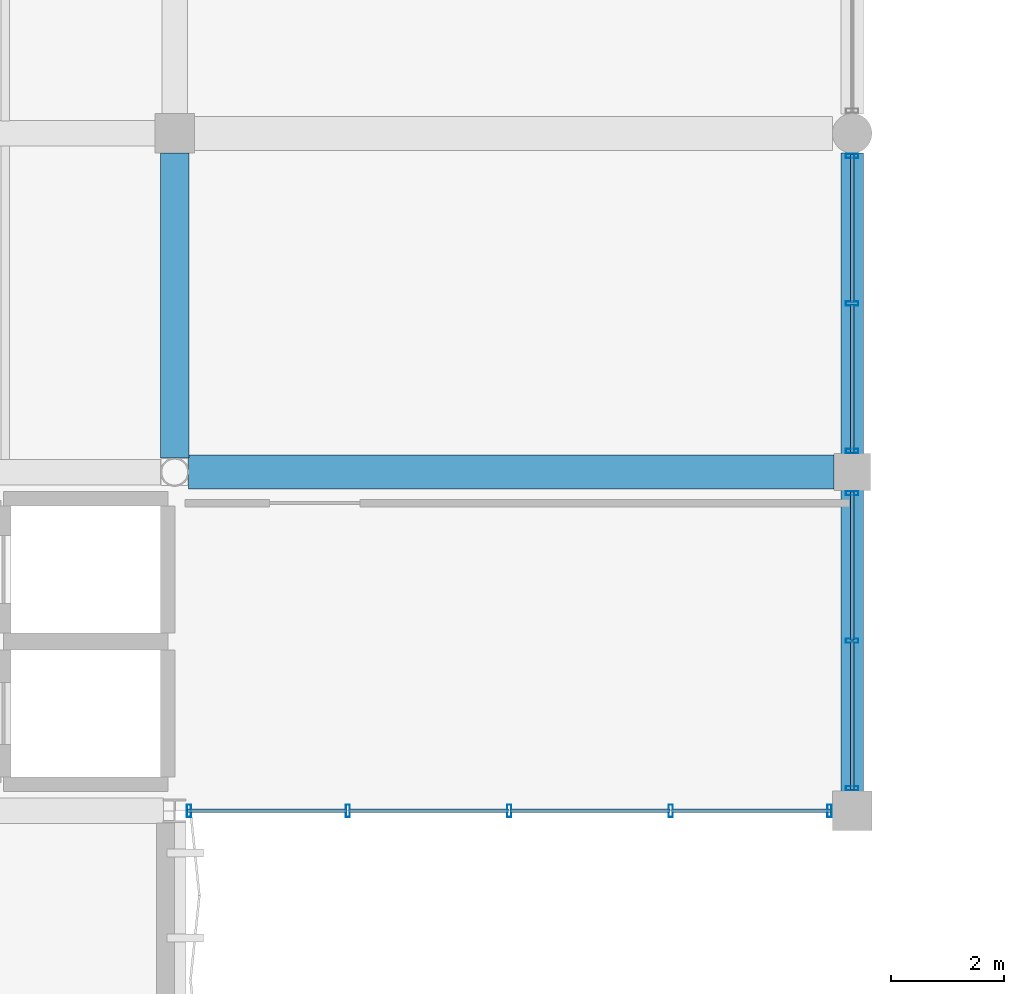
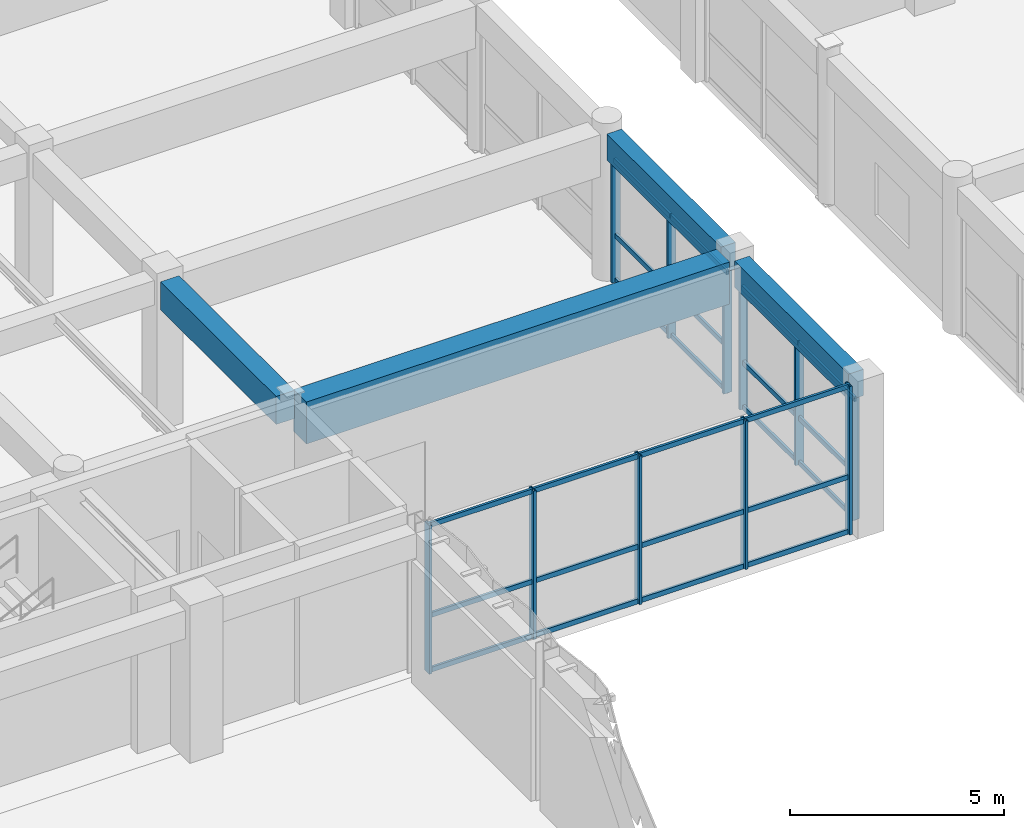
# One storey, part 50 of 116: 35 members, 4 beams, 3 elements without a shape of their own.
"""IFC4 building model written with IfcOpenShell, lengths in metres."""

from ifc_helpers import new_model, si_unit, direction, frame, origin, origin_2d, place, context, subcontext, project, spatial, rectangle, hollow_rectangle, extrude, material, material_profile, profile_set, type_object, element, aggregate, save


model = new_model("IFC4")

# Units and contexts
model_context = context("Model", 3, precision=1e-05, world=origin(), true_north=direction((0.0, 1.0)))
body_context = subcontext(model_context, "Body", "Model", "MODEL_VIEW")
ifc_project = project(units=[si_unit("LENGTHUNIT", "METRE"), si_unit("AREAUNIT", "SQUARE_METRE"), si_unit("VOLUMEUNIT", "CUBIC_METRE"), si_unit("PLANEANGLEUNIT", "RADIAN"), si_unit("MASSUNIT", "GRAM", prefix="KILO"), si_unit("THERMODYNAMICTEMPERATUREUNIT", "KELVIN"), si_unit("POWERUNIT", "WATT")], contexts=[model_context])

# Site, building, storey
site_placement = place(None, origin())
site = spatial("IfcSite", under=ifc_project, at=site_placement, CompositionType="ELEMENT")
building_placement = place(site_placement, origin())
building = spatial("IfcBuilding", under=site, at=building_placement, Name="Phaisarnlok Congress Hotel", CompositionType="ELEMENT")
storey_placement = place(building_placement, frame((0.0, 0.0, 10.5)))
storey = spatial("IfcBuildingStorey", under=building, at=storey_placement, Name="L02", CompositionType="ELEMENT", Elevation=10.5)

# Beams
ifc_material_1 = material(Name="Concrete C40/50", Category="concrete")
ifc_material_profile_1 = material_profile(ifc_material_1, rectangle(XDim=0.5, YDim=0.800048828125, at=origin_2d()), Name="RC 500x800")
ifc_profile_set_1 = profile_set([ifc_material_profile_1], Name="Concrete C40/50")
beam_type_1 = type_object("IfcBeamType", Name="BM-RC-500x800", PredefinedType="BEAM", material=ifc_profile_set_1)
beam_1_placement = place(storey_placement, frame((144.0, 42.2490234375, 3.840087890625), z_axis=(0.0, 1.0, 0.0), x_axis=(-1.0, 0.0, 0.0)))
element("IfcBeam", 1, at=beam_1_placement, inside=storey, type_object=beam_type_1, Name="Beam B-04", PredefinedType="BEAM", context=body_context, shape_type="SweptSolid", body=[
    extrude(rectangle(XDim=0.5, YDim=0.800048828125, at=origin_2d()), origin(), (0.0, 0.0, 1.0), 5.406005859375),
])
ifc_material_2 = material(Name="Concrete C50/60", Category="concrete")
ifc_material_profile_2 = material_profile(ifc_material_2, rectangle(XDim=0.60009765625, YDim=1.199951171875, at=origin_2d()), Name="RC 600x1200")
ifc_profile_set_2 = profile_set([ifc_material_profile_2], Name="Concrete C50/60")
beam_type_2 = type_object("IfcBeamType", Name="BM-RC-600x1200", PredefinedType="BEAM", material=ifc_profile_set_2)
beam_2_placement = place(storey_placement, frame((144.2490234375, 42.0, 3.639892578125), z_axis=(1.0, 0.0, 0.0), x_axis=(0.0, 1.0, 0.0)))
element("IfcBeam", 2, at=beam_2_placement, inside=storey, type_object=beam_type_2, Name="Ramp bay 12m girder B-06", PredefinedType="BEAM", context=body_context, shape_type="SweptSolid", body=[
    extrude(rectangle(XDim=0.60009765625, YDim=1.199951171875, at=origin_2d()), origin(), (0.0, 0.0, 1.0), 11.430908203125),
])

# Curtain wall, members
ifc_material_3 = material(Name="Thermally Broken Unitised Aluminium & Low-E Glazing", Category="aluminium")
curtain_wall_type_1 = type_object("IfcCurtainWallType", Name="CW-UNIT-24", PredefinedType="NOTDEFINED", material=ifc_material_3)
curtain_wall_1_placement = place(storey_placement, origin())
curtain_wall_1 = element("IfcCurtainWall", 3, at=curtain_wall_1_placement, inside=storey, type_object=curtain_wall_type_1, Name="Unitised curtain wall CW-24 (L02)", PredefinedType="NOTDEFINED")
ifc_material_4 = material(Name="Anodised Aluminium Alloy 6063-T6", Category="aluminium")
ifc_material_profile_3 = material_profile(ifc_material_4, hollow_rectangle(XDim=0.074951171875, YDim=0.219970703125, WallThickness=0.0048828125, at=origin_2d()), Name="ALU-M 75x220x5")
ifc_profile_set_3 = profile_set([ifc_material_profile_3], Name="Anodised Aluminium Alloy 6063-T6")
member_type_1 = type_object("IfcMemberType", Name="CWM-220", PredefinedType="MULLION", material=ifc_profile_set_3)
member_1_placement = place(storey_placement, frame((144.2529296875, 36.0, 0.0), z_axis=(0.0, 0.0, 1.0), x_axis=(1.0, 0.0, 0.0)))
member_1 = element("IfcMember", 4, at=member_1_placement, type_object=member_type_1, Name="Curtain wall mullion CWM-02", PredefinedType="MULLION", context=body_context, shape_type="SweptSolid", body=[
    extrude(hollow_rectangle(XDim=0.074951171875, YDim=0.219970703125, WallThickness=0.0048828125, at=origin_2d()), origin(), (0.0, 0.0, 1.0), 4.239990234375),
])
member_2_placement = place(storey_placement, frame((147.0673828125, 36.0, 0.0), z_axis=(0.0, 0.0, 1.0), x_axis=(1.0, 0.0, 0.0)))
member_2 = element("IfcMember", 5, at=member_2_placement, type_object=member_type_1, Name="Curtain wall mullion CWM-02", PredefinedType="MULLION", context=body_context, shape_type="SweptSolid", body=[
    extrude(hollow_rectangle(XDim=0.074951171875, YDim=0.219970703125, WallThickness=0.0048828125, at=origin_2d()), origin(), (0.0, 0.0, 1.0), 4.239990234375),
])
member_3_placement = place(storey_placement, frame((149.926513671875, 36.0, 0.0), z_axis=(0.0, 0.0, 1.0), x_axis=(1.0, 0.0, 0.0)))
member_3 = element("IfcMember", 6, at=member_3_placement, type_object=member_type_1, Name="Curtain wall mullion CWM-02", PredefinedType="MULLION", context=body_context, shape_type="SweptSolid", body=[
    extrude(hollow_rectangle(XDim=0.074951171875, YDim=0.219970703125, WallThickness=0.0048828125, at=origin_2d()), origin(), (0.0, 0.0, 1.0), 4.239990234375),
])
member_4_placement = place(storey_placement, frame((152.785888671875, 36.0, 0.0), z_axis=(0.0, 0.0, 1.0), x_axis=(1.0, 0.0, 0.0)))
member_4 = element("IfcMember", 7, at=member_4_placement, type_object=member_type_1, Name="Curtain wall mullion CWM-02", PredefinedType="MULLION", context=body_context, shape_type="SweptSolid", body=[
    extrude(hollow_rectangle(XDim=0.074951171875, YDim=0.219970703125, WallThickness=0.0048828125, at=origin_2d()), origin(), (0.0, 0.0, 1.0), 4.239990234375),
])
member_5_placement = place(storey_placement, frame((155.60009765625, 36.0, 0.0), z_axis=(0.0, 0.0, 1.0), x_axis=(1.0, 0.0, 0.0)))
member_5 = element("IfcMember", 8, at=member_5_placement, type_object=member_type_1, Name="Curtain wall mullion CWM-02", PredefinedType="MULLION", context=body_context, shape_type="SweptSolid", body=[
    extrude(hollow_rectangle(XDim=0.074951171875, YDim=0.219970703125, WallThickness=0.0048828125, at=origin_2d()), origin(), (0.0, 0.0, 1.0), 4.239990234375),
])

curtain_wall_type_2 = type_object("IfcCurtainWallType", Name="CW-UNIT-16", PredefinedType="NOTDEFINED", material=ifc_material_3)
curtain_wall_2_placement = place(storey_placement, origin())
curtain_wall_2 = element("IfcCurtainWall", 9, at=curtain_wall_2_placement, inside=storey, type_object=curtain_wall_type_2, Name="Unitised curtain wall CW-16 (L02)", PredefinedType="NOTDEFINED")
member_6_placement = place(storey_placement, frame((156.0, 36.39990234375, 0.0), z_axis=(0.0, 0.0, 1.0), x_axis=(0.0, 1.0, 0.0)))
member_6 = element("IfcMember", 10, at=member_6_placement, type_object=member_type_1, Name="Curtain wall mullion CWM-02", PredefinedType="MULLION", context=body_context, shape_type="SweptSolid", body=[
    extrude(hollow_rectangle(XDim=0.074951171875, YDim=0.219970703125, WallThickness=0.0048828125, at=origin_2d()), origin(), (0.0, 0.0, 1.0), 3.489990234375),
])
member_7_placement = place(storey_placement, frame((156.0, 39.012451171875, 0.0), z_axis=(0.0, 0.0, 1.0), x_axis=(0.0, 1.0, 0.0)))
member_7 = element("IfcMember", 11, at=member_7_placement, type_object=member_type_1, Name="Curtain wall mullion CWM-02", PredefinedType="MULLION", context=body_context, shape_type="SweptSolid", body=[
    extrude(hollow_rectangle(XDim=0.074951171875, YDim=0.219970703125, WallThickness=0.0048828125, at=origin_2d()), origin(), (0.0, 0.0, 1.0), 3.489990234375),
])
member_8_placement = place(storey_placement, frame((156.0, 41.625, 0.0), z_axis=(0.0, 0.0, 1.0), x_axis=(0.0, 1.0, 0.0)))
member_8 = element("IfcMember", 12, at=member_8_placement, type_object=member_type_1, Name="Curtain wall mullion CWM-02", PredefinedType="MULLION", context=body_context, shape_type="SweptSolid", body=[
    extrude(hollow_rectangle(XDim=0.074951171875, YDim=0.219970703125, WallThickness=0.0048828125, at=origin_2d()), origin(), (0.0, 0.0, 1.0), 3.489990234375),
])

curtain_wall_3_placement = place(storey_placement, origin())
curtain_wall_3 = element("IfcCurtainWall", 13, at=curtain_wall_3_placement, inside=storey, type_object=curtain_wall_type_2, Name="Unitised curtain wall CW-16 (L02)", PredefinedType="NOTDEFINED")
member_9_placement = place(storey_placement, frame((156.0, 42.375, 0.0), z_axis=(0.0, 0.0, 1.0), x_axis=(0.0, 1.0, 0.0)))
member_9 = element("IfcMember", 14, at=member_9_placement, type_object=member_type_1, Name="Curtain wall mullion CWM-02", PredefinedType="MULLION", context=body_context, shape_type="SweptSolid", body=[
    extrude(hollow_rectangle(XDim=0.074951171875, YDim=0.219970703125, WallThickness=0.0048828125, at=origin_2d()), origin(), (0.0, 0.0, 1.0), 3.489990234375),
])
member_10_placement = place(storey_placement, frame((156.0, 44.987548828125, 0.0), z_axis=(0.0, 0.0, 1.0), x_axis=(0.0, 1.0, 0.0)))
member_10 = element("IfcMember", 15, at=member_10_placement, type_object=member_type_1, Name="Curtain wall mullion CWM-02", PredefinedType="MULLION", context=body_context, shape_type="SweptSolid", body=[
    extrude(hollow_rectangle(XDim=0.074951171875, YDim=0.219970703125, WallThickness=0.0048828125, at=origin_2d()), origin(), (0.0, 0.0, 1.0), 3.489990234375),
])
member_11_placement = place(storey_placement, frame((156.0, 47.60009765625, 0.0), z_axis=(0.0, 0.0, 1.0), x_axis=(0.0, 1.0, 0.0)))
member_11 = element("IfcMember", 16, at=member_11_placement, type_object=member_type_1, Name="Curtain wall mullion CWM-02", PredefinedType="MULLION", context=body_context, shape_type="SweptSolid", body=[
    extrude(hollow_rectangle(XDim=0.074951171875, YDim=0.219970703125, WallThickness=0.0048828125, at=origin_2d()), origin(), (0.0, 0.0, 1.0), 3.489990234375),
])

# Member
ifc_material_profile_4 = material_profile(ifc_material_4, hollow_rectangle(XDim=0.06494140625, YDim=0.139892578125, WallThickness=0.00390625, at=origin_2d()), Name="ALU-T 65x140x4")
ifc_profile_set_4 = profile_set([ifc_material_profile_4], Name="Anodised Aluminium Alloy 6063-T6")
member_type_2 = type_object("IfcMemberType", Name="CWT-150", PredefinedType="USERDEFINED", material=ifc_profile_set_4)
member_12_placement = place(storey_placement, frame((144.22802734375, 36.0, 0.050048828125), z_axis=(1.0, 0.0, 0.0), x_axis=(0.0, 1.0, 0.0)))
member_12 = element("IfcMember", 17, at=member_12_placement, type_object=member_type_2, Name="Curtain wall transom CWT-01", ObjectType="TRANSOM", PredefinedType="USERDEFINED", context=body_context, shape_type="SweptSolid", body=[
    extrude(hollow_rectangle(XDim=0.06494140625, YDim=0.139892578125, WallThickness=0.00390625, at=origin_2d()), origin(), (0.0, 0.0, 1.0), 2.82421875),
])

member_13_placement = place(storey_placement, frame((144.22802734375, 36.0, 1.611083984375), z_axis=(1.0, 0.0, 0.0), x_axis=(0.0, 1.0, 0.0)))
member_13 = element("IfcMember", 18, at=member_13_placement, type_object=member_type_2, Name="Curtain wall transom CWT-01", ObjectType="TRANSOM", PredefinedType="USERDEFINED", context=body_context, shape_type="SweptSolid", body=[
    extrude(hollow_rectangle(XDim=0.06494140625, YDim=0.139892578125, WallThickness=0.00390625, at=origin_2d()), origin(), (0.0, 0.0, 1.0), 2.82421875),
])

member_14_placement = place(storey_placement, frame((144.22802734375, 36.0, 4.18994140625), z_axis=(1.0, 0.0, 0.0), x_axis=(0.0, 1.0, 0.0)))
member_14 = element("IfcMember", 19, at=member_14_placement, type_object=member_type_2, Name="Curtain wall transom CWT-01", ObjectType="TRANSOM", PredefinedType="USERDEFINED", context=body_context, shape_type="SweptSolid", body=[
    extrude(hollow_rectangle(XDim=0.06494140625, YDim=0.139892578125, WallThickness=0.00390625, at=origin_2d()), origin(), (0.0, 0.0, 1.0), 2.82421875),
])

member_15_placement = place(storey_placement, frame((147.082275390625, 36.0, 0.050048828125), z_axis=(1.0, 0.0, 0.0), x_axis=(0.0, 1.0, 0.0)))
member_15 = element("IfcMember", 20, at=member_15_placement, type_object=member_type_2, Name="Curtain wall transom CWT-01", ObjectType="TRANSOM", PredefinedType="USERDEFINED", context=body_context, shape_type="SweptSolid", body=[
    extrude(hollow_rectangle(XDim=0.06494140625, YDim=0.139892578125, WallThickness=0.00390625, at=origin_2d()), origin(), (0.0, 0.0, 1.0), 2.829345703125),
])

member_16_placement = place(storey_placement, frame((147.082275390625, 36.0, 1.611083984375), z_axis=(1.0, 0.0, 0.0), x_axis=(0.0, 1.0, 0.0)))
member_16 = element("IfcMember", 21, at=member_16_placement, type_object=member_type_2, Name="Curtain wall transom CWT-01", ObjectType="TRANSOM", PredefinedType="USERDEFINED", context=body_context, shape_type="SweptSolid", body=[
    extrude(hollow_rectangle(XDim=0.06494140625, YDim=0.139892578125, WallThickness=0.00390625, at=origin_2d()), origin(), (0.0, 0.0, 1.0), 2.829345703125),
])

member_17_placement = place(storey_placement, frame((147.082275390625, 36.0, 4.18994140625), z_axis=(1.0, 0.0, 0.0), x_axis=(0.0, 1.0, 0.0)))
member_17 = element("IfcMember", 22, at=member_17_placement, type_object=member_type_2, Name="Curtain wall transom CWT-01", ObjectType="TRANSOM", PredefinedType="USERDEFINED", context=body_context, shape_type="SweptSolid", body=[
    extrude(hollow_rectangle(XDim=0.06494140625, YDim=0.139892578125, WallThickness=0.00390625, at=origin_2d()), origin(), (0.0, 0.0, 1.0), 2.829345703125),
])

member_18_placement = place(storey_placement, frame((149.94140625, 36.0, 0.050048828125), z_axis=(1.0, 0.0, 0.0), x_axis=(0.0, 1.0, 0.0)))
member_18 = element("IfcMember", 23, at=member_18_placement, type_object=member_type_2, Name="Curtain wall transom CWT-01", ObjectType="TRANSOM", PredefinedType="USERDEFINED", context=body_context, shape_type="SweptSolid", body=[
    extrude(hollow_rectangle(XDim=0.06494140625, YDim=0.139892578125, WallThickness=0.00390625, at=origin_2d()), origin(), (0.0, 0.0, 1.0), 2.829345703125),
])

member_19_placement = place(storey_placement, frame((149.94140625, 36.0, 1.611083984375), z_axis=(1.0, 0.0, 0.0), x_axis=(0.0, 1.0, 0.0)))
member_19 = element("IfcMember", 24, at=member_19_placement, type_object=member_type_2, Name="Curtain wall transom CWT-01", ObjectType="TRANSOM", PredefinedType="USERDEFINED", context=body_context, shape_type="SweptSolid", body=[
    extrude(hollow_rectangle(XDim=0.06494140625, YDim=0.139892578125, WallThickness=0.00390625, at=origin_2d()), origin(), (0.0, 0.0, 1.0), 2.829345703125),
])

member_20_placement = place(storey_placement, frame((149.94140625, 36.0, 4.18994140625), z_axis=(1.0, 0.0, 0.0), x_axis=(0.0, 1.0, 0.0)))
member_20 = element("IfcMember", 25, at=member_20_placement, type_object=member_type_2, Name="Curtain wall transom CWT-01", ObjectType="TRANSOM", PredefinedType="USERDEFINED", context=body_context, shape_type="SweptSolid", body=[
    extrude(hollow_rectangle(XDim=0.06494140625, YDim=0.139892578125, WallThickness=0.00390625, at=origin_2d()), origin(), (0.0, 0.0, 1.0), 2.829345703125),
])

member_21_placement = place(storey_placement, frame((152.80078125, 36.0, 0.050048828125), z_axis=(1.0, 0.0, 0.0), x_axis=(0.0, 1.0, 0.0)))
member_21 = element("IfcMember", 26, at=member_21_placement, type_object=member_type_2, Name="Curtain wall transom CWT-01", ObjectType="TRANSOM", PredefinedType="USERDEFINED", context=body_context, shape_type="SweptSolid", body=[
    extrude(hollow_rectangle(XDim=0.06494140625, YDim=0.139892578125, WallThickness=0.00390625, at=origin_2d()), origin(), (0.0, 0.0, 1.0), 2.82421875),
])

member_22_placement = place(storey_placement, frame((152.80078125, 36.0, 1.611083984375), z_axis=(1.0, 0.0, 0.0), x_axis=(0.0, 1.0, 0.0)))
member_22 = element("IfcMember", 27, at=member_22_placement, type_object=member_type_2, Name="Curtain wall transom CWT-01", ObjectType="TRANSOM", PredefinedType="USERDEFINED", context=body_context, shape_type="SweptSolid", body=[
    extrude(hollow_rectangle(XDim=0.06494140625, YDim=0.139892578125, WallThickness=0.00390625, at=origin_2d()), origin(), (0.0, 0.0, 1.0), 2.82421875),
])

member_23_placement = place(storey_placement, frame((152.80078125, 36.0, 4.18994140625), z_axis=(1.0, 0.0, 0.0), x_axis=(0.0, 1.0, 0.0)))
member_23 = element("IfcMember", 28, at=member_23_placement, type_object=member_type_2, Name="Curtain wall transom CWT-01", ObjectType="TRANSOM", PredefinedType="USERDEFINED", context=body_context, shape_type="SweptSolid", body=[
    extrude(hollow_rectangle(XDim=0.06494140625, YDim=0.139892578125, WallThickness=0.00390625, at=origin_2d()), origin(), (0.0, 0.0, 1.0), 2.82421875),
])

aggregate(curtain_wall_1, [member_1, member_2, member_3, member_4, member_5, member_12, member_13, member_14, member_15, member_16, member_17, member_18, member_19, member_20, member_21, member_22, member_23])

member_24_placement = place(storey_placement, frame((156.0, 36.375, 0.050048828125), z_axis=(0.0, 1.0, 0.0), x_axis=(-1.0, 0.0, 0.0)))
member_24 = element("IfcMember", 29, at=member_24_placement, type_object=member_type_2, Name="Curtain wall transom CWT-01", ObjectType="TRANSOM", PredefinedType="USERDEFINED", context=body_context, shape_type="SweptSolid", body=[
    extrude(hollow_rectangle(XDim=0.06494140625, YDim=0.139892578125, WallThickness=0.00390625, at=origin_2d()), origin(), (0.0, 0.0, 1.0), 2.62255859375),
])

member_25_placement = place(storey_placement, frame((156.0, 36.375, 1.326171875), z_axis=(0.0, 1.0, 0.0), x_axis=(-1.0, 0.0, 0.0)))
member_25 = element("IfcMember", 30, at=member_25_placement, type_object=member_type_2, Name="Curtain wall transom CWT-01", ObjectType="TRANSOM", PredefinedType="USERDEFINED", context=body_context, shape_type="SweptSolid", body=[
    extrude(hollow_rectangle(XDim=0.06494140625, YDim=0.139892578125, WallThickness=0.00390625, at=origin_2d()), origin(), (0.0, 0.0, 1.0), 2.62255859375),
])

member_26_placement = place(storey_placement, frame((156.0, 36.375, 3.43994140625), z_axis=(0.0, 1.0, 0.0), x_axis=(-1.0, 0.0, 0.0)))
member_26 = element("IfcMember", 31, at=member_26_placement, type_object=member_type_2, Name="Curtain wall transom CWT-01", ObjectType="TRANSOM", PredefinedType="USERDEFINED", context=body_context, shape_type="SweptSolid", body=[
    extrude(hollow_rectangle(XDim=0.06494140625, YDim=0.139892578125, WallThickness=0.00390625, at=origin_2d()), origin(), (0.0, 0.0, 1.0), 2.62255859375),
])

member_27_placement = place(storey_placement, frame((156.0, 39.027587890625, 0.050048828125), z_axis=(0.0, 1.0, 0.0), x_axis=(-1.0, 0.0, 0.0)))
member_27 = element("IfcMember", 32, at=member_27_placement, type_object=member_type_2, Name="Curtain wall transom CWT-01", ObjectType="TRANSOM", PredefinedType="USERDEFINED", context=body_context, shape_type="SweptSolid", body=[
    extrude(hollow_rectangle(XDim=0.06494140625, YDim=0.139892578125, WallThickness=0.00390625, at=origin_2d()), origin(), (0.0, 0.0, 1.0), 2.622314453125),
])

member_28_placement = place(storey_placement, frame((156.0, 39.027587890625, 1.326171875), z_axis=(0.0, 1.0, 0.0), x_axis=(-1.0, 0.0, 0.0)))
member_28 = element("IfcMember", 33, at=member_28_placement, type_object=member_type_2, Name="Curtain wall transom CWT-01", ObjectType="TRANSOM", PredefinedType="USERDEFINED", context=body_context, shape_type="SweptSolid", body=[
    extrude(hollow_rectangle(XDim=0.06494140625, YDim=0.139892578125, WallThickness=0.00390625, at=origin_2d()), origin(), (0.0, 0.0, 1.0), 2.622314453125),
])

member_29_placement = place(storey_placement, frame((156.0, 39.027587890625, 3.43994140625), z_axis=(0.0, 1.0, 0.0), x_axis=(-1.0, 0.0, 0.0)))
member_29 = element("IfcMember", 34, at=member_29_placement, type_object=member_type_2, Name="Curtain wall transom CWT-01", ObjectType="TRANSOM", PredefinedType="USERDEFINED", context=body_context, shape_type="SweptSolid", body=[
    extrude(hollow_rectangle(XDim=0.06494140625, YDim=0.139892578125, WallThickness=0.00390625, at=origin_2d()), origin(), (0.0, 0.0, 1.0), 2.622314453125),
])

aggregate(curtain_wall_2, [member_6, member_7, member_8, member_24, member_25, member_26, member_27, member_28, member_29])

member_30_placement = place(storey_placement, frame((156.0, 42.35009765625, 0.050048828125), z_axis=(0.0, 1.0, 0.0), x_axis=(-1.0, 0.0, 0.0)))
member_30 = element("IfcMember", 35, at=member_30_placement, type_object=member_type_2, Name="Curtain wall transom CWT-01", ObjectType="TRANSOM", PredefinedType="USERDEFINED", context=body_context, shape_type="SweptSolid", body=[
    extrude(hollow_rectangle(XDim=0.06494140625, YDim=0.139892578125, WallThickness=0.00390625, at=origin_2d()), origin(), (0.0, 0.0, 1.0), 2.622314453125),
])

member_31_placement = place(storey_placement, frame((156.0, 42.35009765625, 1.326171875), z_axis=(0.0, 1.0, 0.0), x_axis=(-1.0, 0.0, 0.0)))
member_31 = element("IfcMember", 36, at=member_31_placement, type_object=member_type_2, Name="Curtain wall transom CWT-01", ObjectType="TRANSOM", PredefinedType="USERDEFINED", context=body_context, shape_type="SweptSolid", body=[
    extrude(hollow_rectangle(XDim=0.06494140625, YDim=0.139892578125, WallThickness=0.00390625, at=origin_2d()), origin(), (0.0, 0.0, 1.0), 2.622314453125),
])

member_32_placement = place(storey_placement, frame((156.0, 42.35009765625, 3.43994140625), z_axis=(0.0, 1.0, 0.0), x_axis=(-1.0, 0.0, 0.0)))
member_32 = element("IfcMember", 37, at=member_32_placement, type_object=member_type_2, Name="Curtain wall transom CWT-01", ObjectType="TRANSOM", PredefinedType="USERDEFINED", context=body_context, shape_type="SweptSolid", body=[
    extrude(hollow_rectangle(XDim=0.06494140625, YDim=0.139892578125, WallThickness=0.00390625, at=origin_2d()), origin(), (0.0, 0.0, 1.0), 2.622314453125),
])

member_33_placement = place(storey_placement, frame((156.0, 45.00244140625, 0.050048828125), z_axis=(0.0, 1.0, 0.0), x_axis=(-1.0, 0.0, 0.0)))
member_33 = element("IfcMember", 38, at=member_33_placement, type_object=member_type_2, Name="Curtain wall transom CWT-01", ObjectType="TRANSOM", PredefinedType="USERDEFINED", context=body_context, shape_type="SweptSolid", body=[
    extrude(hollow_rectangle(XDim=0.06494140625, YDim=0.139892578125, WallThickness=0.00390625, at=origin_2d()), origin(), (0.0, 0.0, 1.0), 2.62255859375),
])

member_34_placement = place(storey_placement, frame((156.0, 45.00244140625, 1.326171875), z_axis=(0.0, 1.0, 0.0), x_axis=(-1.0, 0.0, 0.0)))
member_34 = element("IfcMember", 39, at=member_34_placement, type_object=member_type_2, Name="Curtain wall transom CWT-01", ObjectType="TRANSOM", PredefinedType="USERDEFINED", context=body_context, shape_type="SweptSolid", body=[
    extrude(hollow_rectangle(XDim=0.06494140625, YDim=0.139892578125, WallThickness=0.00390625, at=origin_2d()), origin(), (0.0, 0.0, 1.0), 2.62255859375),
])

member_35_placement = place(storey_placement, frame((156.0, 45.00244140625, 3.43994140625), z_axis=(0.0, 1.0, 0.0), x_axis=(-1.0, 0.0, 0.0)))
member_35 = element("IfcMember", 40, at=member_35_placement, type_object=member_type_2, Name="Curtain wall transom CWT-01", ObjectType="TRANSOM", PredefinedType="USERDEFINED", context=body_context, shape_type="SweptSolid", body=[
    extrude(hollow_rectangle(XDim=0.06494140625, YDim=0.139892578125, WallThickness=0.00390625, at=origin_2d()), origin(), (0.0, 0.0, 1.0), 2.62255859375),
])

aggregate(curtain_wall_3, [member_9, member_10, member_11, member_30, member_31, member_32, member_33, member_34, member_35])

# Beams
ifc_material_profile_5 = material_profile(ifc_material_1, rectangle(XDim=0.39990234375, YDim=0.75, at=origin_2d()), Name="RC 400x750")
ifc_profile_set_5 = profile_set([ifc_material_profile_5], Name="Concrete C40/50")
beam_type_3 = type_object("IfcBeamType", Name="SP-RC-400x750", PredefinedType="SPANDREL", material=ifc_profile_set_5)
for number, where, z_axis, x_axis, name in (
    (41, (156.0, 36.344970703125, 3.864990234375), (0.0, 1.0, 0.0), (-1.0, 0.0, 0.0), "Beam SP-02"),
    (42, (156.0, 42.320068359375, 3.864990234375), (0.0, 1.0, 0.0), (-1.0, 0.0, 0.0), "Beam SP-02"),
):
    element("IfcBeam", number, at=place(storey_placement, frame(where, z_axis=z_axis, x_axis=x_axis)), inside=storey, type_object=beam_type_3, Name=name, PredefinedType="SPANDREL", context=body_context, shape_type="SweptSolid", body=[
        extrude(rectangle(XDim=0.39990234375, YDim=0.75, at=origin_2d()), origin(), (0.0, 0.0, 1.0), 5.3349609375),
    ])

save(model, "model.ifc")
